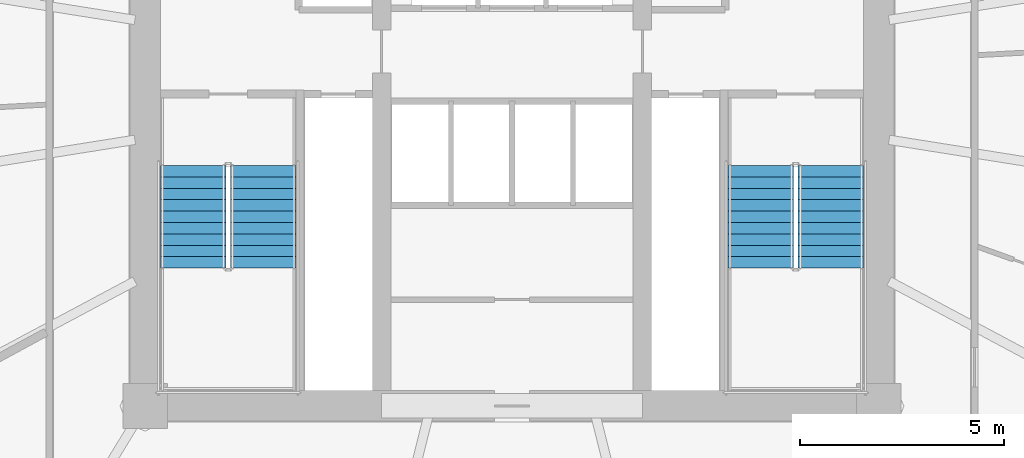
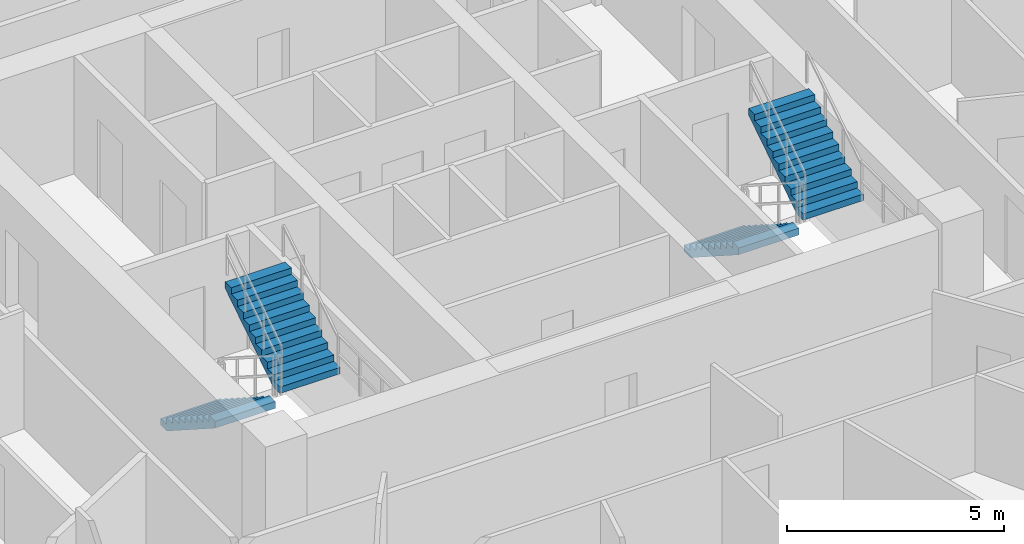
# One storey, part 26 of 30: 4 stair flights, 2 elements without a shape of their own.
"""IFC4 building model written with IfcOpenShell, lengths in metres."""

import ifcopenshell
import ifcopenshell.guid

model = None  # the IFC model being written
_history = None  # IfcOwnerHistory: only IFC2X3 demands one
_inside = {}  # id of a spatial element -> (the spatial element, [elements in it])
_under = {}  # id of a project, library or spatial element -> (it, [spatial elements below it])
_declared = {}  # id of a project -> (the project, [libraries it declares])
_typed = {}  # id of a type object -> (the type object, [elements of that type])
_made_of = {}  # id of a material, layer set ... -> (it, [elements and type objects made of it])


def new_model(schema):
    """Start an empty IFC model of exactly this schema.

    Asked for "IFC4X3", IfcOpenShell would pick the latest addendum, in which some entities
    have other attributes; the version numbers below select the first issue.
    IFC2X3 requires an IfcOwnerHistory on every rooted entity: one is made here for all.
    """
    global model, _history
    if schema == "IFC4X3":
        model = ifcopenshell.file(schema_version=(4, 3, 0, 0))
    else:
        model = ifcopenshell.file(schema=schema)
    _inside.clear()
    _under.clear()
    _declared.clear()
    _typed.clear()
    _made_of.clear()
    _history = None
    if model.schema == "IFC2X3":
        org = make("IfcOrganization", Name="unknown")
        user = make(
            "IfcPersonAndOrganization",
            ThePerson=make("IfcPerson", FamilyName="unknown"),
            TheOrganization=org,
        )
        app = make(
            "IfcApplication",
            ApplicationDeveloper=org,
            Version="unknown",
            ApplicationFullName="unknown",
            ApplicationIdentifier="unknown",
        )
        _history = make(
            "IfcOwnerHistory",
            OwningUser=user,
            OwningApplication=app,
            ChangeAction="ADDED",
            CreationDate=0,
        )
    return model


def make(cls, **values):
    """One entity of the class cls with the attributes given. An attribute that is None is left unset."""
    return model.create_entity(
        cls, **{name: value for name, value in values.items() if value is not None}
    )


def rooted(cls, **values):
    """An entity with a GlobalId (a new one), such as an element, a storey or a relation."""
    return make(cls, GlobalId=ifcopenshell.guid.new(), OwnerHistory=_history, **values)


def si_unit(unit_type, name, prefix=None):
    """IfcSIUnit, for example si_unit("LENGTHUNIT", "METRE", prefix="MILLI")."""
    return make("IfcSIUnit", UnitType=unit_type, Prefix=prefix, Name=name)


def assignment(units):
    """IfcUnitAssignment: the units of a project."""
    return None if units is None else make("IfcUnitAssignment", Units=units)


def point(xyz):
    """IfcCartesianPoint."""
    return None if xyz is None else make("IfcCartesianPoint", Coordinates=xyz)


def direction(xyz):
    """IfcDirection."""
    return None if xyz is None else make("IfcDirection", DirectionRatios=xyz)


def frame(location, z_axis=None, x_axis=None):
    """IfcAxis2Placement3D, a coordinate frame: its origin and axes. An axis left out is left unset."""
    return make(
        "IfcAxis2Placement3D",
        Location=point(location),
        Axis=direction(z_axis),
        RefDirection=direction(x_axis),
    )


def origin():
    """The frame at (0, 0, 0) with its axes left unset."""
    return frame((0.0, 0.0, 0.0))


def place(relative_to, where):
    """IfcLocalPlacement: puts the frame where relative to a parent placement (None: the world)."""
    return make(
        "IfcLocalPlacement", PlacementRelTo=relative_to, RelativePlacement=where
    )


def context(
    kind, dimensions, precision=None, world=None, true_north=None, identifier=None
):
    """IfcGeometricRepresentationContext, for example the 3D "Model" context."""
    return make(
        "IfcGeometricRepresentationContext",
        ContextIdentifier=identifier,
        ContextType=kind,
        CoordinateSpaceDimension=dimensions,
        Precision=precision,
        WorldCoordinateSystem=world,
        TrueNorth=true_north,
    )


def subcontext(parent, identifier, kind, view, scale=None):
    """IfcGeometricRepresentationSubContext, for example "Body" below "Model"."""
    return make(
        "IfcGeometricRepresentationSubContext",
        ContextIdentifier=identifier,
        ContextType=kind,
        ParentContext=parent,
        TargetScale=scale,
        TargetView=view,
    )


def project(units=None, contexts=None):
    """IfcProject with its units and contexts."""
    return rooted(
        "IfcProject",
        Name="project",
        RepresentationContexts=contexts,
        UnitsInContext=assignment(units),
    )


def spatial(cls, under=None, at=None, **own):
    """A site, building, storey or space (cls), placed at a placement, below another one or the project."""
    s = rooted(cls, ObjectPlacement=at, **own)
    if under is not None:
        _under.setdefault(under.id(), (under, []))[1].append(s)
    return s


def polyline(points):
    """IfcPolyline through the points."""
    return make("IfcPolyline", Points=[point(p) for p in points])


def outline(outer, holes=None, kind="AREA"):
    """IfcArbitraryClosedProfileDef: a profile drawn as a closed curve; with holes, ...WithVoids."""
    if holes is None:
        return make("IfcArbitraryClosedProfileDef", ProfileType=kind, OuterCurve=outer)
    return make(
        "IfcArbitraryProfileDefWithVoids",
        ProfileType=kind,
        OuterCurve=outer,
        InnerCurves=holes,
    )


def extrude(swept, where, along, depth):
    """IfcExtrudedAreaSolid: the profile swept, set in the frame where, extruded along a direction by depth."""
    return make(
        "IfcExtrudedAreaSolid",
        SweptArea=swept,
        Position=where,
        ExtrudedDirection=direction(along),
        Depth=depth,
    )


def shape(context_of_items, identifier, shape_type, items):
    """IfcShapeRepresentation: the items that make up one representation, for example the "Body"."""
    return make(
        "IfcShapeRepresentation",
        ContextOfItems=context_of_items,
        RepresentationIdentifier=identifier,
        RepresentationType=shape_type,
        Items=items,
    )


def material(Name=None, Category=None):
    """IfcMaterial."""
    return make("IfcMaterial", Name=Name, Category=Category)


def made_of(thing, what):
    """Note that an element or type object is made of a material, layer set ...; save() writes the relation."""
    if what is not None:
        _made_of.setdefault(what.id(), (what, []))[1].append(thing)
    return thing


def type_object(cls, material=None, **own):
    """A type object (cls), such as IfcWallType, which elements share."""
    return made_of(rooted(cls, **own), material)


def element(
    cls,
    number,
    at=None,
    inside=None,
    cuts=None,
    type_object=None,
    material=None,
    context=None,
    identifier="Body",
    shape_type=None,
    held_by="IfcProductDefinitionShape",
    body=None,
    shapes=None,
    **own,
):
    """One element of the class cls, such as IfcWall. Its Tag is "e" and its number.

    at: its placement. inside: the storey or other place that contains it. cuts: it is an
    opening in that element (IfcRelVoidsElement). A single representation is given by context,
    identifier, shape_type and body (its items); several are given by shapes. held_by: the class
    of the entity that holds the representations. save() writes the other relations.
    """
    e = rooted(cls, Tag="e%d" % number, ObjectPlacement=at, **own)
    if body is not None:
        shapes = [shape(context, identifier, shape_type, body)]
    if shapes is not None:
        e.Representation = make(held_by, Representations=shapes)
    if inside is not None:
        _inside.setdefault(inside.id(), (inside, []))[1].append(e)
    if cuts is not None:
        rooted(
            "IfcRelVoidsElement", RelatingBuildingElement=cuts, RelatedOpeningElement=e
        )
    if type_object is not None:
        _typed.setdefault(type_object.id(), (type_object, []))[1].append(e)
    return made_of(e, material)


def aggregate(whole, parts):
    """IfcRelAggregates: a whole, such as a stair, and the parts it consists of."""
    return rooted("IfcRelAggregates", RelatingObject=whole, RelatedObjects=parts)


def save(model, path):
    """Write the relations noted so far, then the file.

    IfcRelAggregates (storeys below a building ...), IfcRelContainedInSpatialStructure (elements
    in a storey), IfcRelDefinesByType, IfcRelAssociatesMaterial and IfcRelDeclares: one each for
    every whole, place, type object, material and project.
    """
    for whole, parts in _under.values():
        aggregate(whole, parts)
    for where, things in _inside.values():
        rooted(
            "IfcRelContainedInSpatialStructure",
            RelatedElements=things,
            RelatingStructure=where,
        )
    for kind, things in _typed.values():
        rooted("IfcRelDefinesByType", RelatedObjects=things, RelatingType=kind)
    for what, things in _made_of.values():
        rooted("IfcRelAssociatesMaterial", RelatedObjects=things, RelatingMaterial=what)
    for by, libraries in _declared.values():
        rooted("IfcRelDeclares", RelatingContext=by, RelatedDefinitions=libraries)
    model.write(path)


model = new_model("IFC4")

# Units and contexts
model_context = context("Model", 3, precision=1e-05, world=origin(), true_north=direction((-0.2419218956, 0.970295726276)))
body_context = subcontext(model_context, "Body", "Model", "MODEL_VIEW")
ifc_project = project(units=[si_unit("LENGTHUNIT", "METRE"), si_unit("AREAUNIT", "SQUARE_METRE"), si_unit("VOLUMEUNIT", "CUBIC_METRE"), si_unit("PLANEANGLEUNIT", "RADIAN"), si_unit("MASSUNIT", "GRAM", prefix="KILO")], contexts=[model_context])

# Site, building, storey
site_placement = place(None, origin())
site = spatial("IfcSite", under=ifc_project, at=site_placement, CompositionType="ELEMENT")
building_placement = place(site_placement, origin())
building = spatial("IfcBuilding", under=site, at=building_placement, Name="Cobrevalo Terracotta Tower", CompositionType="ELEMENT")
storey_placement = place(building_placement, frame((0.0, 0.0, 56.39990234375)))
storey = spatial("IfcBuildingStorey", under=building, at=storey_placement, Name="L14", CompositionType="ELEMENT", Elevation=56.39990234375)

# Stair, stair flights
ifc_material = material(Name="Concrete C50", Category="concrete")
stair_type = type_object("IfcStairType", Name="Core protected escape dogleg stair 1600", PredefinedType="HALF_TURN_STAIR", material=ifc_material)
stair_1_placement = place(storey_placement, origin())
stair_1 = element("IfcStair", 1, at=stair_1_placement, inside=storey, type_object=stair_type, Name="L14 Protected exit stair ST-1", PredefinedType="HALF_TURN_STAIR")
stair_flight_type = type_object("IfcStairFlightType", Name="Core protected escape dogleg stair 1600 flight", PredefinedType="STRAIGHT", material=ifc_material)
stair_flight_1_placement = place(storey_placement, frame((30.175048828125, 24.699951171875, 0.0), z_axis=(0.0, 0.0, 1.0), x_axis=(0.0, -1.0, 0.0)))
stair_flight_1 = element("IfcStairFlight", 2, at=stair_flight_1_placement, type_object=stair_flight_type, Name="ST-1 flight 1", NumberOfRisers=10, NumberOfTreads=9, PredefinedType="STRAIGHT", RiserHeight=0.18, TreadLength=0.28, context=body_context, shape_type="SweptSolid", body=[
    extrude(outline(polyline([(0.0, 0.0), (0.0, 0.179931640625), (0.280029296875, 0.179931640625), (0.280029296875, 0.360107421875), (0.56005859375, 0.360107421875), (0.56005859375, 0.5400390625), (0.840087890625, 0.5400390625), (0.840087890625, 0.719970703125), (1.1201171875, 0.719970703125), (1.1201171875, 0.89990234375), (1.39990234375, 0.89990234375), (1.39990234375, 1.080078125), (1.679931640625, 1.080078125), (1.679931640625, 1.260009765625), (1.9599609375, 1.260009765625), (1.9599609375, 1.43994140625), (2.239990234375, 1.43994140625), (2.239990234375, 1.6201171875), (2.52001953125, 1.6201171875), (2.52001953125, 1.800048828125), (2.52001953125, 1.429931640625), (0.295654296875, 0.0), (0.0, 0.0)])), frame((0.0, 0.800048828125, 0.0), z_axis=(0.0, -1.0, 0.0), x_axis=(1.0, 0.0, 0.0)), (0.0, 0.0, 1.0), 1.60009765625),
])
stair_flight_2_placement = place(storey_placement, frame((31.89501953125, 22.179931640625, 1.800048828125), z_axis=(0.0, 0.0, 1.0), x_axis=(0.0, 1.0, 0.0)))
stair_flight_2 = element("IfcStairFlight", 3, at=stair_flight_2_placement, type_object=stair_flight_type, Name="ST-1 flight 2", NumberOfRisers=10, NumberOfTreads=9, PredefinedType="STRAIGHT", RiserHeight=0.18, TreadLength=0.28, context=body_context, shape_type="SweptSolid", body=[
    extrude(outline(polyline([(0.0, 0.0), (0.0, 0.179931640625), (0.280029296875, 0.179931640625), (0.280029296875, 0.360107421875), (0.56005859375, 0.360107421875), (0.56005859375, 0.5400390625), (0.840087890625, 0.5400390625), (0.840087890625, 0.719970703125), (1.1201171875, 0.719970703125), (1.1201171875, 0.89990234375), (1.39990234375, 0.89990234375), (1.39990234375, 1.080078125), (1.679931640625, 1.080078125), (1.679931640625, 1.260009765625), (1.9599609375, 1.260009765625), (1.9599609375, 1.43994140625), (2.239990234375, 1.43994140625), (2.239990234375, 1.6201171875), (2.52001953125, 1.6201171875), (2.52001953125, 1.800048828125), (2.52001953125, 1.429931640625), (0.295654296875, 0.0), (0.0, 0.0)])), frame((0.0, 0.800048828125, 0.0), z_axis=(0.0, -1.0, 0.0), x_axis=(1.0, 0.0, 0.0)), (0.0, 0.0, 1.0), 1.60009765625),
])
aggregate(stair_1, [stair_flight_1, stair_flight_2])

stair_2_placement = place(storey_placement, origin())
stair_2 = element("IfcStair", 4, at=stair_2_placement, inside=storey, type_object=stair_type, Name="L14 Protected exit stair ST-2", PredefinedType="HALF_TURN_STAIR")
stair_flight_3_placement = place(storey_placement, frame((44.10498046875, 24.699951171875, 0.0), z_axis=(0.0, 0.0, 1.0), x_axis=(0.0, -1.0, 0.0)))
stair_flight_3 = element("IfcStairFlight", 5, at=stair_flight_3_placement, type_object=stair_flight_type, Name="ST-2 flight 1", NumberOfRisers=10, NumberOfTreads=9, PredefinedType="STRAIGHT", RiserHeight=0.18, TreadLength=0.28, context=body_context, shape_type="SweptSolid", body=[
    extrude(outline(polyline([(0.0, 0.0), (0.0, 0.179931640625), (0.280029296875, 0.179931640625), (0.280029296875, 0.360107421875), (0.56005859375, 0.360107421875), (0.56005859375, 0.5400390625), (0.840087890625, 0.5400390625), (0.840087890625, 0.719970703125), (1.1201171875, 0.719970703125), (1.1201171875, 0.89990234375), (1.39990234375, 0.89990234375), (1.39990234375, 1.080078125), (1.679931640625, 1.080078125), (1.679931640625, 1.260009765625), (1.9599609375, 1.260009765625), (1.9599609375, 1.43994140625), (2.239990234375, 1.43994140625), (2.239990234375, 1.6201171875), (2.52001953125, 1.6201171875), (2.52001953125, 1.800048828125), (2.52001953125, 1.429931640625), (0.295654296875, 0.0), (0.0, 0.0)])), frame((0.0, 0.800048828125, 0.0), z_axis=(0.0, -1.0, 0.0), x_axis=(1.0, 0.0, 0.0)), (0.0, 0.0, 1.0), 1.60009765625),
])
stair_flight_4_placement = place(storey_placement, frame((45.824951171875, 22.179931640625, 1.800048828125), z_axis=(0.0, 0.0, 1.0), x_axis=(0.0, 1.0, 0.0)))
stair_flight_4 = element("IfcStairFlight", 6, at=stair_flight_4_placement, type_object=stair_flight_type, Name="ST-2 flight 2", NumberOfRisers=10, NumberOfTreads=9, PredefinedType="STRAIGHT", RiserHeight=0.18, TreadLength=0.28, context=body_context, shape_type="SweptSolid", body=[
    extrude(outline(polyline([(0.0, 0.0), (0.0, 0.179931640625), (0.280029296875, 0.179931640625), (0.280029296875, 0.360107421875), (0.56005859375, 0.360107421875), (0.56005859375, 0.5400390625), (0.840087890625, 0.5400390625), (0.840087890625, 0.719970703125), (1.1201171875, 0.719970703125), (1.1201171875, 0.89990234375), (1.39990234375, 0.89990234375), (1.39990234375, 1.080078125), (1.679931640625, 1.080078125), (1.679931640625, 1.260009765625), (1.9599609375, 1.260009765625), (1.9599609375, 1.43994140625), (2.239990234375, 1.43994140625), (2.239990234375, 1.6201171875), (2.52001953125, 1.6201171875), (2.52001953125, 1.800048828125), (2.52001953125, 1.429931640625), (0.295654296875, 0.0), (0.0, 0.0)])), frame((0.0, 0.800048828125, 0.0), z_axis=(0.0, -1.0, 0.0), x_axis=(1.0, 0.0, 0.0)), (0.0, 0.0, 1.0), 1.60009765625),
])
aggregate(stair_2, [stair_flight_3, stair_flight_4])

save(model, "model.ifc")
